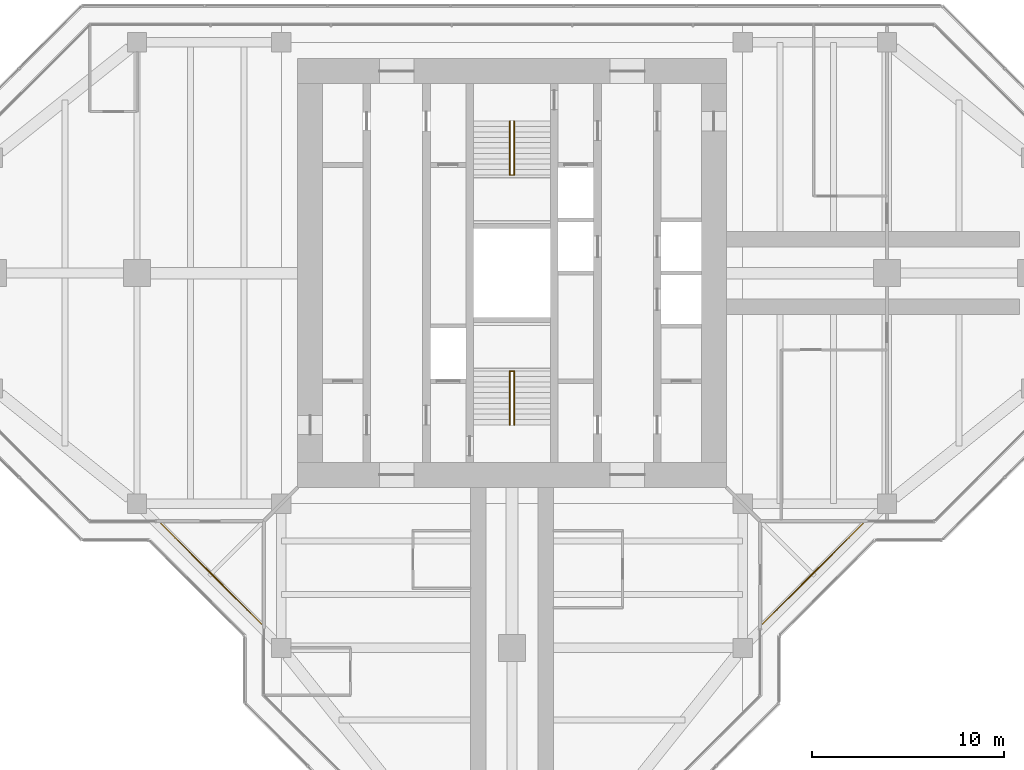
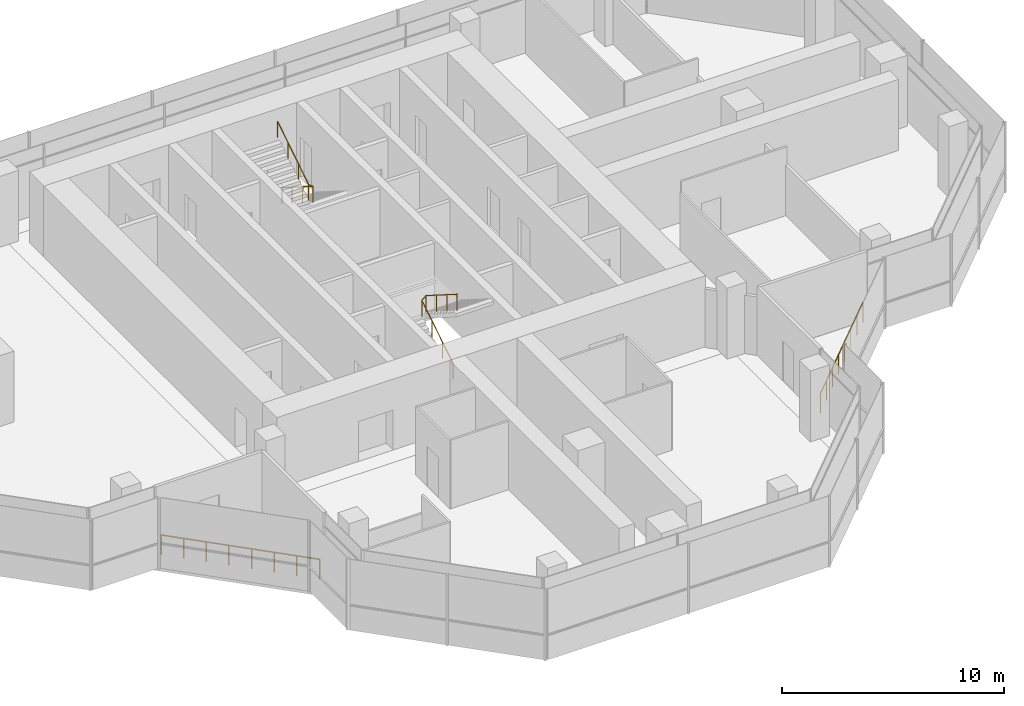
# One storey, part 15 of 15: 4 railings.
"""IFC4 building model written with IfcOpenShell, lengths in metres."""

from ifc_helpers import new_model, si_unit, direction, frame, origin, origin_2d, place, context, subcontext, project, spatial, circle, extrude, material, type_object, element, save


model = new_model("IFC4")

# Units and contexts
model_context = context("Model", 3, precision=1e-05, world=origin(), true_north=direction((0.0, 1.0)))
body_context = subcontext(model_context, "Body", "Model", "MODEL_VIEW")
ifc_project = project(units=[si_unit("LENGTHUNIT", "METRE"), si_unit("AREAUNIT", "SQUARE_METRE"), si_unit("VOLUMEUNIT", "CUBIC_METRE"), si_unit("PLANEANGLEUNIT", "RADIAN"), si_unit("MASSUNIT", "GRAM", prefix="KILO")], contexts=[model_context])

# Site, building, storey
site_placement = place(None, origin())
site = spatial("IfcSite", under=ifc_project, at=site_placement, CompositionType="ELEMENT")
building_placement = place(site_placement, origin())
building = spatial("IfcBuilding", under=site, at=building_placement, Name="Mizan Broadcast Tower", CompositionType="ELEMENT")
storey_placement = place(building_placement, frame((0.0, 0.0, 271.199951171875)))
storey = spatial("IfcBuildingStorey", under=building, at=storey_placement, Name="L64", CompositionType="ELEMENT", Elevation=271.199951171875)

# Railings
ifc_material_1 = material(Name="Stainless steel and glass guard", Category="steel")
railing_type_1 = type_object("IfcRailingType", Name="GUARD 1100", PredefinedType="GUARDRAIL", material=ifc_material_1)
railing_1_placement = place(storey_placement, frame((-18.2578125, -13.030029296875, 0.0)))
element("IfcRailing", 1, at=railing_1_placement, inside=storey, type_object=railing_type_1, Name="Winter garden guard L64 W", PredefinedType="GUARDRAIL", context=body_context, shape_type="SweptSolid", body=[
    extrude(circle(Radius=0.02392578125, at=origin_2d()), frame((0.0, 0.0, 1.076171875), z_axis=(0.707106781187, -0.707106781187, 0.0), x_axis=(0.707106781187, 0.707106781187, 0.0)), (0.0, 0.0, 1.0), 7.393310546875),
    extrude(circle(Radius=0.02099609375, at=origin_2d()), origin(), (0.0, 0.0, 1.0), 1.052001953125),
    extrude(circle(Radius=0.02099609375, at=origin_2d()), frame((0.746826171875, -0.746826171875, 0.0)), (0.0, 0.0, 1.0), 1.052001953125),
    extrude(circle(Radius=0.02099609375, at=origin_2d()), frame((1.49365234375, -1.49365234375, 0.0)), (0.0, 0.0, 1.0), 1.052001953125),
    extrude(circle(Radius=0.02099609375, at=origin_2d()), frame((2.240478515625, -2.240478515625, 0.0)), (0.0, 0.0, 1.0), 1.052001953125),
    extrude(circle(Radius=0.02099609375, at=origin_2d()), frame((2.9873046875, -2.9873046875, 0.0)), (0.0, 0.0, 1.0), 1.052001953125),
    extrude(circle(Radius=0.02099609375, at=origin_2d()), frame((3.734130859375, -3.734130859375, 0.0)), (0.0, 0.0, 1.0), 1.052001953125),
    extrude(circle(Radius=0.02099609375, at=origin_2d()), frame((4.48095703125, -4.48095703125, 0.0)), (0.0, 0.0, 1.0), 1.052001953125),
    extrude(circle(Radius=0.02099609375, at=origin_2d()), frame((5.227783203125, -5.227783203125, 0.0)), (0.0, 0.0, 1.0), 1.052001953125),
])
railing_2_placement = place(storey_placement, frame((13.030029296875, -18.2578125, 0.0)))
element("IfcRailing", 2, at=railing_2_placement, inside=storey, type_object=railing_type_1, Name="Winter garden guard L64 S", PredefinedType="GUARDRAIL", context=body_context, shape_type="SweptSolid", body=[
    extrude(circle(Radius=0.02392578125, at=origin_2d()), frame((0.0, 0.0, 1.076171875), z_axis=(0.707106781187, 0.707106781187, 0.0), x_axis=(-0.707106781187, 0.707106781187, 0.0)), (0.0, 0.0, 1.0), 7.393310546875),
    extrude(circle(Radius=0.02099609375, at=origin_2d()), origin(), (0.0, 0.0, 1.0), 1.052001953125),
    extrude(circle(Radius=0.02099609375, at=origin_2d()), frame((0.746826171875, 0.746826171875, 0.0)), (0.0, 0.0, 1.0), 1.052001953125),
    extrude(circle(Radius=0.02099609375, at=origin_2d()), frame((1.49365234375, 1.49365234375, 0.0)), (0.0, 0.0, 1.0), 1.052001953125),
    extrude(circle(Radius=0.02099609375, at=origin_2d()), frame((2.240478515625, 2.240478515625, 0.0)), (0.0, 0.0, 1.0), 1.052001953125),
    extrude(circle(Radius=0.02099609375, at=origin_2d()), frame((2.9873046875, 2.9873046875, 0.0)), (0.0, 0.0, 1.0), 1.052001953125),
    extrude(circle(Radius=0.02099609375, at=origin_2d()), frame((3.734130859375, 3.734130859375, 0.0)), (0.0, 0.0, 1.0), 1.052001953125),
    extrude(circle(Radius=0.02099609375, at=origin_2d()), frame((4.48095703125, 4.48095703125, 0.0)), (0.0, 0.0, 1.0), 1.052001953125),
    extrude(circle(Radius=0.02099609375, at=origin_2d()), frame((5.227783203125, 5.227783203125, 0.0)), (0.0, 0.0, 1.0), 1.052001953125),
])
ifc_material_2 = material(Name="Stainless steel", Category="steel")
railing_type_2 = type_object("IfcRailingType", Name="HANDRAIL 50", PredefinedType="HANDRAIL", material=ifc_material_2)
railing_3_placement = place(storey_placement, frame((-0.110107421875, -7.89990234375, 0.17724609375)))
element("IfcRailing", 3, at=railing_3_placement, inside=storey, type_object=railing_type_2, Name="Stair A handrail", PredefinedType="HANDRAIL", context=body_context, shape_type="SweptSolid", body=[
    extrude(circle(Radius=0.02392578125, at=origin_2d()), frame((0.0, 0.0, 0.8759765625), z_axis=(0.0, 0.844887892834, 0.53494340686), x_axis=(-1.0, 0.0, 0.0)), (0.0, 0.0, 1.0), 3.313720703125),
    extrude(circle(Radius=0.02392578125, at=origin_2d()), frame((0.0, 2.7998046875, 2.6484375), z_axis=(0.77858989007, 0.0, 0.627533093216), x_axis=(0.0, 1.0, 0.0)), (0.0, 0.0, 1.0), 0.282958984375),
    extrude(circle(Radius=0.02392578125, at=origin_2d()), frame((0.22021484375, 2.7998046875, 2.826171875), z_axis=(0.0, -0.844887892834, 0.53494340686), x_axis=(1.0, 0.0, 0.0)), (0.0, 0.0, 1.0), 3.313720703125),
    extrude(circle(Radius=0.02099609375, at=origin_2d()), origin(), (0.0, 0.0, 1.0), 0.851806640625),
    extrude(circle(Radius=0.02099609375, at=origin_2d()), frame((0.0, 0.933349609375, 0.5908203125)), (0.0, 0.0, 1.0), 0.851806640625),
    extrude(circle(Radius=0.02099609375, at=origin_2d()), frame((0.0, 1.866455078125, 1.181884765625)), (0.0, 0.0, 1.0), 0.851806640625),
    extrude(circle(Radius=0.02099609375, at=origin_2d()), frame((0.0, 2.7998046875, 1.772705078125)), (0.0, 0.0, 1.0), 0.851806640625),
    extrude(circle(Radius=0.02099609375, at=origin_2d()), frame((0.22021484375, 2.7998046875, 1.9501953125)), (0.0, 0.0, 1.0), 0.851806640625),
    extrude(circle(Radius=0.02099609375, at=origin_2d()), frame((0.22021484375, 1.866455078125, 2.541015625)), (0.0, 0.0, 1.0), 0.851806640625),
    extrude(circle(Radius=0.02099609375, at=origin_2d()), frame((0.22021484375, 0.933349609375, 3.132080078125)), (0.0, 0.0, 1.0), 0.851806640625),
    extrude(circle(Radius=0.02099609375, at=origin_2d()), frame((0.22021484375, 0.0, 3.722900390625)), (0.0, 0.0, 1.0), 0.851806640625),
])
railing_4_placement = place(storey_placement, frame((0.110107421875, 7.89990234375, 0.17724609375)))
element("IfcRailing", 4, at=railing_4_placement, inside=storey, type_object=railing_type_2, Name="Stair B handrail", PredefinedType="HANDRAIL", context=body_context, shape_type="SweptSolid", body=[
    extrude(circle(Radius=0.02392578125, at=origin_2d()), frame((0.0, 0.0, 0.8759765625), z_axis=(0.0, -0.844887892834, 0.53494340686), x_axis=(1.0, 0.0, 0.0)), (0.0, 0.0, 1.0), 3.313720703125),
    extrude(circle(Radius=0.02392578125, at=origin_2d()), frame((0.0, -2.7998046875, 2.6484375), z_axis=(-0.77858989007, 0.0, 0.627533093216), x_axis=(0.0, -1.0, 0.0)), (0.0, 0.0, 1.0), 0.282958984375),
    extrude(circle(Radius=0.02392578125, at=origin_2d()), frame((-0.22021484375, -2.7998046875, 2.826171875), z_axis=(0.0, 0.844887892834, 0.53494340686), x_axis=(-1.0, 0.0, 0.0)), (0.0, 0.0, 1.0), 3.313720703125),
    extrude(circle(Radius=0.02099609375, at=origin_2d()), origin(), (0.0, 0.0, 1.0), 0.851806640625),
    extrude(circle(Radius=0.02099609375, at=origin_2d()), frame((0.0, -0.933349609375, 0.5908203125)), (0.0, 0.0, 1.0), 0.851806640625),
    extrude(circle(Radius=0.02099609375, at=origin_2d()), frame((0.0, -1.866455078125, 1.181884765625)), (0.0, 0.0, 1.0), 0.851806640625),
    extrude(circle(Radius=0.02099609375, at=origin_2d()), frame((0.0, -2.7998046875, 1.772705078125)), (0.0, 0.0, 1.0), 0.851806640625),
    extrude(circle(Radius=0.02099609375, at=origin_2d()), frame((-0.22021484375, -2.7998046875, 1.9501953125)), (0.0, 0.0, 1.0), 0.851806640625),
    extrude(circle(Radius=0.02099609375, at=origin_2d()), frame((-0.22021484375, -1.866455078125, 2.541015625)), (0.0, 0.0, 1.0), 0.851806640625),
    extrude(circle(Radius=0.02099609375, at=origin_2d()), frame((-0.22021484375, -0.933349609375, 3.132080078125)), (0.0, 0.0, 1.0), 0.851806640625),
    extrude(circle(Radius=0.02099609375, at=origin_2d()), frame((-0.22021484375, 0.0, 3.722900390625)), (0.0, 0.0, 1.0), 0.851806640625),
])

save(model, "model.ifc")
